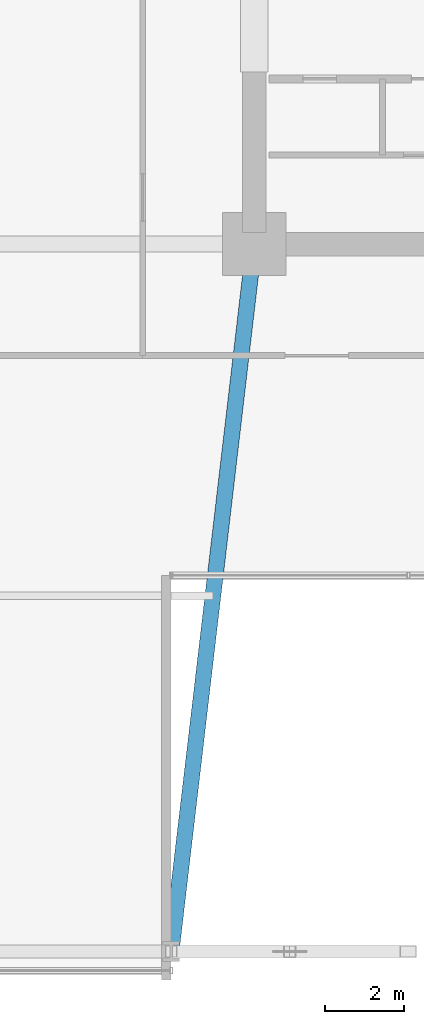
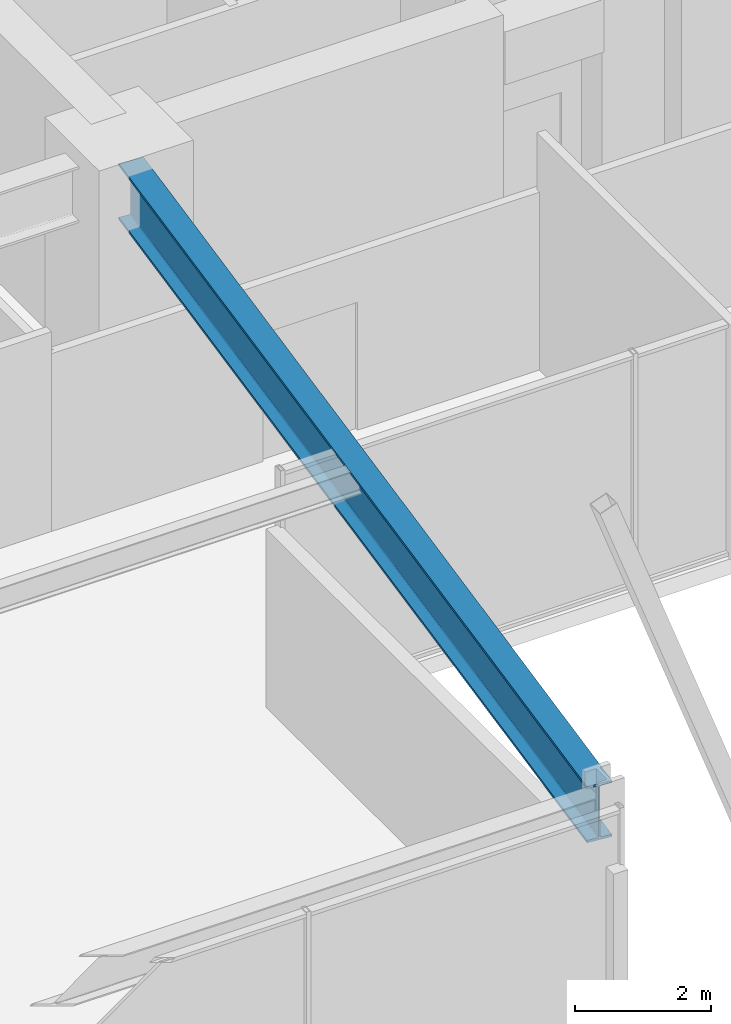
# One storey, part 9 of 47: 1 beam.
"""IFC4 building model written with IfcOpenShell, lengths in metres."""

from ifc_helpers import new_model, si_unit, direction, frame, origin, origin_2d, place, context, subcontext, project, spatial, i_section, extrude, material, material_profile, profile_set, type_object, element, save


model = new_model("IFC4")

# Units and contexts
model_context = context("Model", 3, precision=1e-05, world=origin(), true_north=direction((0.0, 1.0)))
body_context = subcontext(model_context, "Body", "Model", "MODEL_VIEW")
ifc_project = project(units=[si_unit("LENGTHUNIT", "METRE"), si_unit("AREAUNIT", "SQUARE_METRE"), si_unit("VOLUMEUNIT", "CUBIC_METRE"), si_unit("PLANEANGLEUNIT", "RADIAN"), si_unit("MASSUNIT", "GRAM", prefix="KILO")], contexts=[model_context])

# Site, building, storey
site_placement = place(None, origin())
site = spatial("IfcSite", under=ifc_project, at=site_placement, CompositionType="ELEMENT")
building_placement = place(site_placement, origin())
building = spatial("IfcBuilding", under=site, at=building_placement, Name="Kolvaren Belvedere", CompositionType="ELEMENT")
storey_placement = place(building_placement, frame((0.0, 0.0, 5.5)))
storey = spatial("IfcBuildingStorey", under=building, at=storey_placement, Name="L02", CompositionType="ELEMENT", Elevation=5.5)

# Beam
ifc_material = material(Name="Structural steel ASTM A992 Grade 50", Category="steel")
ifc_material_profile = material_profile(ifc_material, i_section(OverallWidth=0.40087890625, OverallDepth=1.010986328125, WebThickness=0.023681640625, FlangeThickness=0.0419921875, FilletRadius=0.030029296875, at=origin_2d()), Name="W40X297")
ifc_profile_set = profile_set([ifc_material_profile], Name="Structural steel ASTM A992 Grade 50")
beam_type = type_object("IfcBeamType", Name="BM-BALL-W40X297", PredefinedType="BEAM", material=ifc_profile_set)
beam_placement = place(storey_placement, frame((-9.952392578125, -10.346923828125, 3.714599609375), z_axis=(-0.116516841483, -0.993188716031, 0.0), x_axis=(0.993188716031, -0.116516841483, 0.0)))
element("IfcBeam", 1, at=beam_placement, inside=storey, type_object=beam_type, Name="L02 South-West Portal Girder", PredefinedType="BEAM", context=body_context, shape_type="SweptSolid", body=[
    extrude(i_section(OverallWidth=0.40087890625, OverallDepth=1.010986328125, WebThickness=0.023681640625, FlangeThickness=0.0419921875, FilletRadius=0.030029296875, at=origin_2d()), origin(), (0.0, 0.0, 1.0), 17.422607421875),
])

save(model, "model.ifc")
